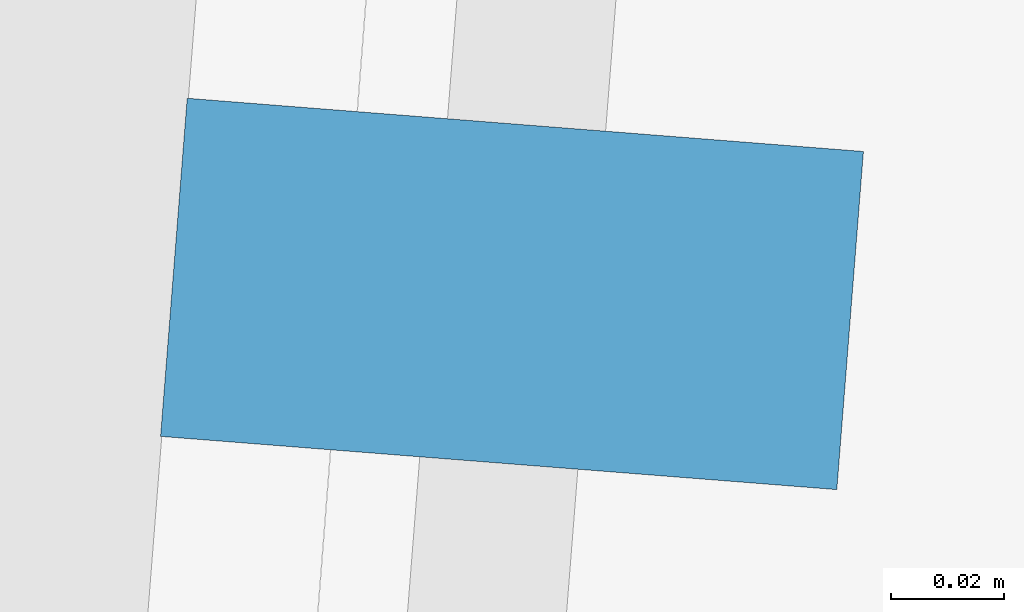
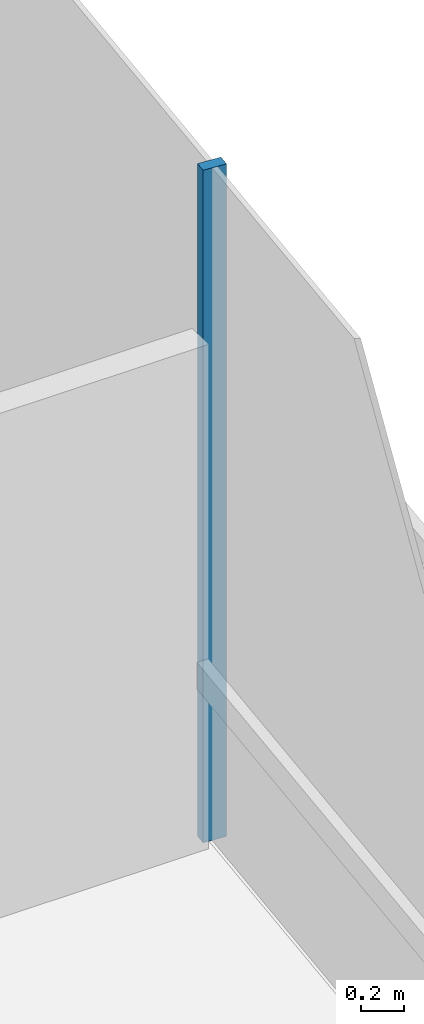
# One storey, part 11 of 22: 1 member, 1 element without a shape of its own.
"""IFC4 building model written with IfcOpenShell, lengths in metres."""

from ifc_helpers import new_model, si_unit, direction, frame, origin, origin_2d, place, context, subcontext, project, spatial, rectangle, extrude, material, layer, layer_set, material_profile, profile_set, type_object, element, aggregate, save


model = new_model("IFC4")

# Units and contexts
model_context = context("Model", 3, precision=1e-05, world=origin(), true_north=direction((0.0, 1.0)))
body_context = subcontext(model_context, "Body", "Model", "MODEL_VIEW")
ifc_project = project(units=[si_unit("LENGTHUNIT", "METRE"), si_unit("AREAUNIT", "SQUARE_METRE"), si_unit("VOLUMEUNIT", "CUBIC_METRE"), si_unit("PLANEANGLEUNIT", "RADIAN"), si_unit("MASSUNIT", "GRAM", prefix="KILO")], contexts=[model_context])

# Site, building, storey
site_placement = place(None, origin())
site = spatial("IfcSite", under=ifc_project, at=site_placement, CompositionType="ELEMENT")
building_placement = place(site_placement, origin())
building = spatial("IfcBuilding", under=site, at=building_placement, Name="Welwitschia Terrace Campus", CompositionType="ELEMENT")
storey_placement = place(building_placement, frame((0.0, 0.0, 268.39990234375)))
storey = spatial("IfcBuildingStorey", under=building, at=storey_placement, Name="L59", CompositionType="ELEMENT", Elevation=268.39990234375)

# Curtain wall, member
ifc_material_1 = material(Name="Bronze anodised aluminium", Category="aluminium")
ifc_layer = layer(ifc_material_1, 0.1201171875)
ifc_layer_set = layer_set([ifc_layer], Name="Bronze anodised aluminium")
curtain_wall_type = type_object("IfcCurtainWallType", Name="Curtain wall CW2 tower 6000", PredefinedType="NOTDEFINED", material=ifc_layer_set)
curtain_wall_placement = place(storey_placement, origin())
curtain_wall = element("IfcCurtainWall", 1, at=curtain_wall_placement, inside=storey, type_object=curtain_wall_type, Name="CW L59.8.0", PredefinedType="NOTDEFINED")
ifc_material_2 = material(Name="Bronze anodised aluminium", Category="aluminium")
ifc_material_profile = material_profile(ifc_material_2, rectangle(XDim=0.1201171875, YDim=0.06005859375, at=origin_2d()))
ifc_profile_set = profile_set([ifc_material_profile], Name="Bronze anodised aluminium")
member_type = type_object("IfcMemberType", Name="Mullion 60x120", PredefinedType="MULLION", material=ifc_profile_set)
member_placement = place(storey_placement, frame((26.371826171875, 45.004638671875, 0.0), z_axis=(0.0, 0.0, 1.0), x_axis=(-0.996917333733, 0.078459095728, 0.0)))
member = element("IfcMember", 2, at=member_placement, type_object=member_type, Name="Mullion L59.8.0.3", PredefinedType="MULLION", context=body_context, shape_type="SweptSolid", body=[
    extrude(rectangle(XDim=0.1201171875, YDim=0.06005859375, at=origin_2d()), origin(), (0.0, 0.0, 1.0), 3.800048828125),
])
aggregate(curtain_wall, [member])

save(model, "model.ifc")
